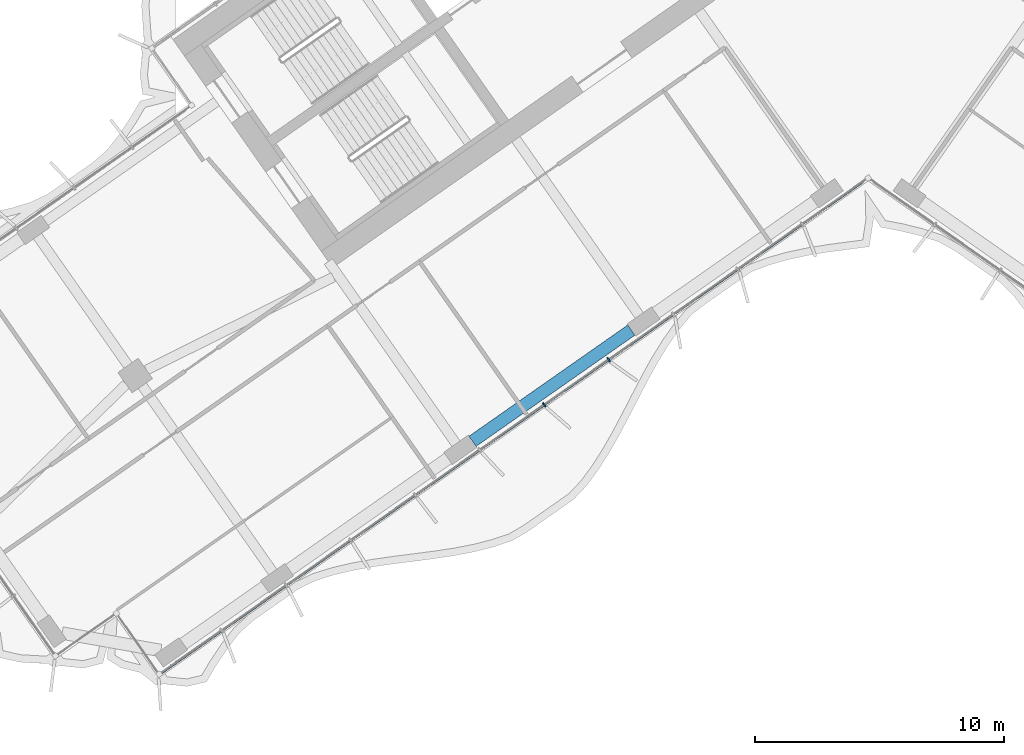
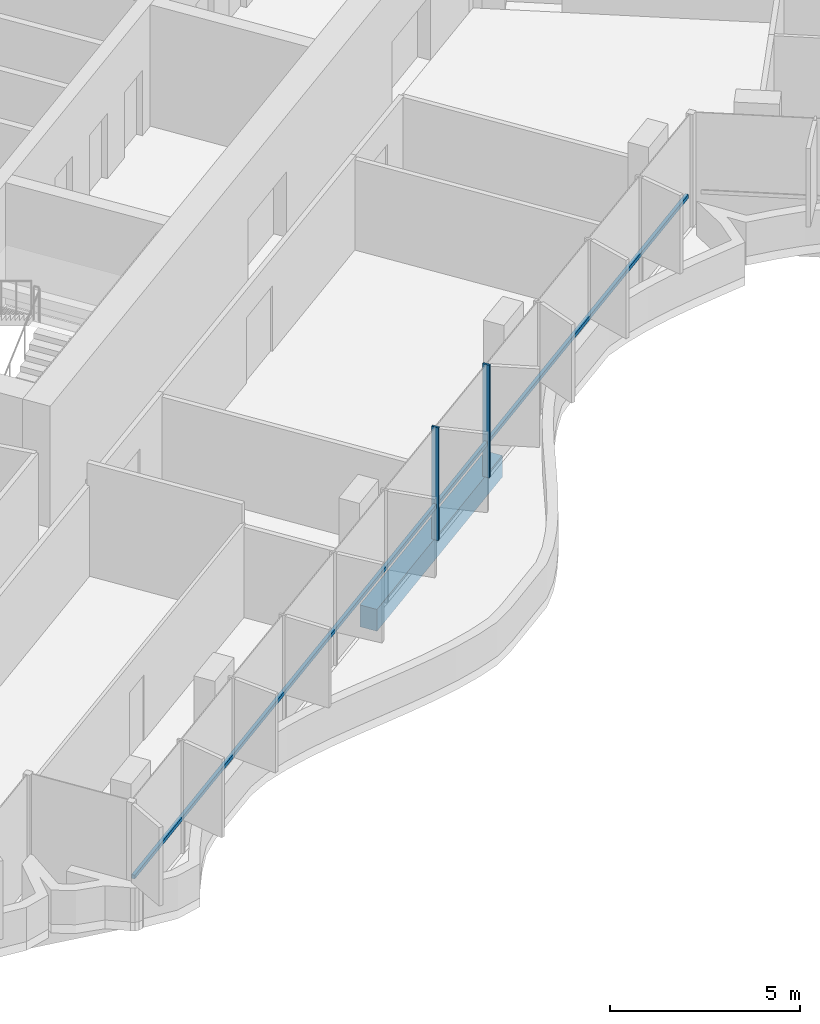
# One storey, part 3 of 21: 3 members, 1 beam, 1 element without a shape of its own.
"""IFC4 building model written with IfcOpenShell, lengths in metres."""

from ifc_helpers import new_model, si_unit, direction, frame, origin, origin_2d, place, context, subcontext, project, spatial, rectangle, extrude, material, material_profile, profile_set, type_object, element, aggregate, save


model = new_model("IFC4")

# Units and contexts
model_context = context("Model", 3, precision=1e-05, world=origin(), true_north=direction((0.0, 1.0)))
body_context = subcontext(model_context, "Body", "Model", "MODEL_VIEW")
ifc_project = project(units=[si_unit("LENGTHUNIT", "METRE"), si_unit("AREAUNIT", "SQUARE_METRE"), si_unit("VOLUMEUNIT", "CUBIC_METRE"), si_unit("PLANEANGLEUNIT", "RADIAN"), si_unit("MASSUNIT", "GRAM", prefix="KILO")], contexts=[model_context])

# Site, building, storey
site_placement = place(None, origin())
site = spatial("IfcSite", under=ifc_project, at=site_placement, CompositionType="ELEMENT")
building_placement = place(site_placement, origin())
building = spatial("IfcBuilding", under=site, at=building_placement, Name="Tel Ilan Convention Tower", CompositionType="ELEMENT")
storey_placement = place(building_placement, frame((0.0, 0.0, 147.60009765625)))
storey = spatial("IfcBuildingStorey", under=building, at=storey_placement, Name="L33", CompositionType="ELEMENT", Elevation=147.60009765625)

# Beam
ifc_material_1 = material(Name="Concrete C40/50", Category="concrete")
ifc_material_profile_1 = material_profile(ifc_material_1, rectangle(XDim=0.5, YDim=0.699951171875, at=origin_2d()), Name="RC 500x700")
ifc_profile_set_1 = profile_set([ifc_material_profile_1], Name="Concrete C40/50")
beam_type = type_object("IfcBeamType", Name="Beam RC 500x700 Concrete C40/50", PredefinedType="BEAM", material=ifc_profile_set_1)
beam_placement = place(storey_placement, frame((-9.529052734375, -18.819091796875, -0.630126953125), z_axis=(-0.819153977895, -0.573573674866, 0.0), x_axis=(0.573573674866, -0.819153977895, 0.0)))
element("IfcBeam", 1, at=beam_placement, inside=storey, type_object=beam_type, Name="L33 beam W-W-F2-W-F3", PredefinedType="BEAM", context=body_context, shape_type="SweptSolid", body=[
    extrude(rectangle(XDim=0.5, YDim=0.699951171875, at=origin_2d()), origin(), (0.0, 0.0, 1.0), 7.800048828125),
])

# Curtain wall, members
ifc_material_2 = material(Name="Aluminium, bronze anodised", Category="aluminium")
curtain_wall_type = type_object("IfcCurtainWallType", Name="CW4 STICK CURTAIN WALL, OFFICE TINTED GLASS", PredefinedType="NOTDEFINED", material=ifc_material_2)
curtain_wall_placement = place(storey_placement, origin())
curtain_wall = element("IfcCurtainWall", 2, at=curtain_wall_placement, inside=storey, type_object=curtain_wall_type, Name="Curtain wall CW4-27.02", PredefinedType="NOTDEFINED")
ifc_material_3 = material(Name="Aluminium, bronze anodised", Category="aluminium")
ifc_material_profile_2 = material_profile(ifc_material_3, rectangle(XDim=0.06005859375, YDim=0.199951171875, at=origin_2d()), Name="CW MULLION 60x200")
ifc_profile_set_2 = profile_set([ifc_material_profile_2], Name="Aluminium, bronze anodised")
member_type_1 = type_object("IfcMemberType", Name="CW MULLION 60x200", PredefinedType="MULLION", material=ifc_profile_set_2)
member_1_placement = place(storey_placement, frame((-13.03271484375, -21.821533203125, 0.0), z_axis=(0.0, 0.0, 1.0), x_axis=(0.819152044289, 0.573576436351, 0.0)))
member_1 = element("IfcMember", 3, at=member_1_placement, type_object=member_type_1, Name="Mullion", PredefinedType="MULLION", context=body_context, shape_type="SweptSolid", body=[
    extrude(rectangle(XDim=0.06005859375, YDim=0.199951171875, at=origin_2d()), origin(), (0.0, 0.0, 1.0), 3.619873046875),
])
member_2_placement = place(storey_placement, frame((-10.4375, -20.004638671875, 0.0), z_axis=(0.0, 0.0, 1.0), x_axis=(0.819152044289, 0.573576436351, 0.0)))
member_2 = element("IfcMember", 4, at=member_2_placement, type_object=member_type_1, Name="Mullion", PredefinedType="MULLION", context=body_context, shape_type="SweptSolid", body=[
    extrude(rectangle(XDim=0.06005859375, YDim=0.199951171875, at=origin_2d()), origin(), (0.0, 0.0, 1.0), 3.619873046875),
])
ifc_material_4 = material(Name="Aluminium, bronze anodised", Category="aluminium")
ifc_material_profile_3 = material_profile(ifc_material_4, rectangle(XDim=0.10009765625, YDim=0.1201171875, at=origin_2d()), Name="CW TRANSOM 100x120")
ifc_profile_set_3 = profile_set([ifc_material_profile_3], Name="Aluminium, bronze anodised")
member_type_2 = type_object("IfcMemberType", Name="CW TRANSOM 100x120", PredefinedType="USERDEFINED", material=ifc_profile_set_3)
member_3_placement = place(storey_placement, frame((-28.439208984375, -32.609375, 1.099853515625), z_axis=(0.819151003602, 0.573577922604, 0.0), x_axis=(-0.573577922604, 0.819151003602, 0.0)))
member_3 = element("IfcMember", 5, at=member_3_placement, type_object=member_type_2, Name="Transom", ObjectType="TRANSOM", PredefinedType="USERDEFINED", context=body_context, shape_type="SweptSolid", body=[
    extrude(rectangle(XDim=0.10009765625, YDim=0.1201171875, at=origin_2d()), origin(), (0.0, 0.0, 1.0), 34.447998046875),
])
aggregate(curtain_wall, [member_1, member_2, member_3])

save(model, "model.ifc")
